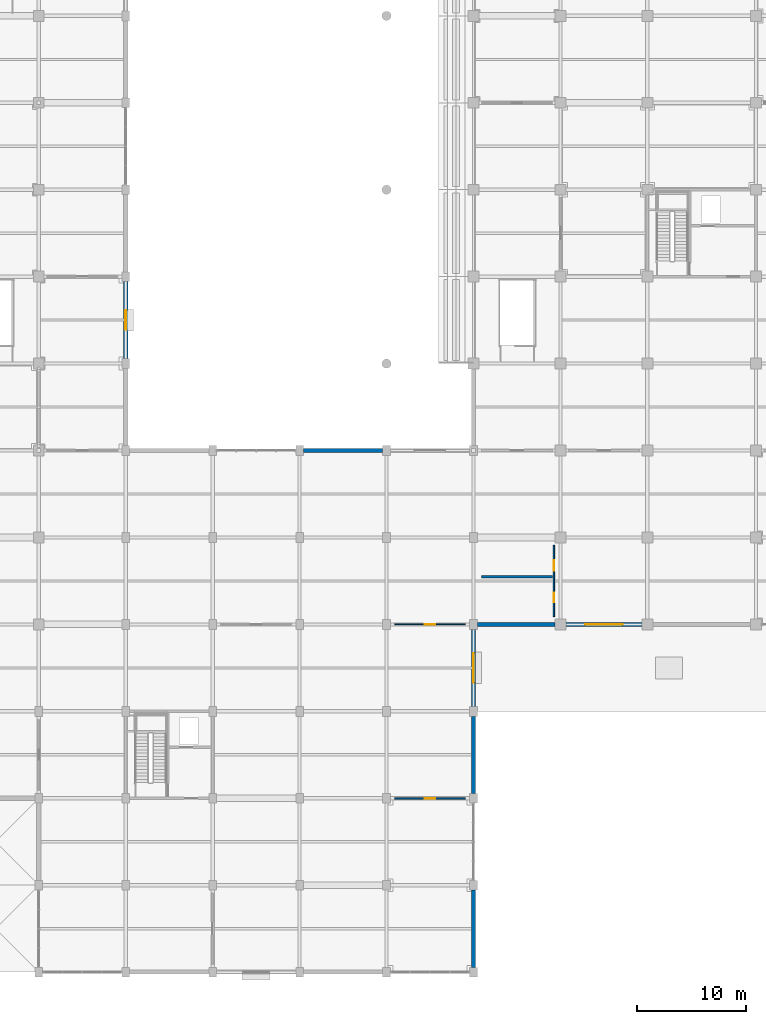
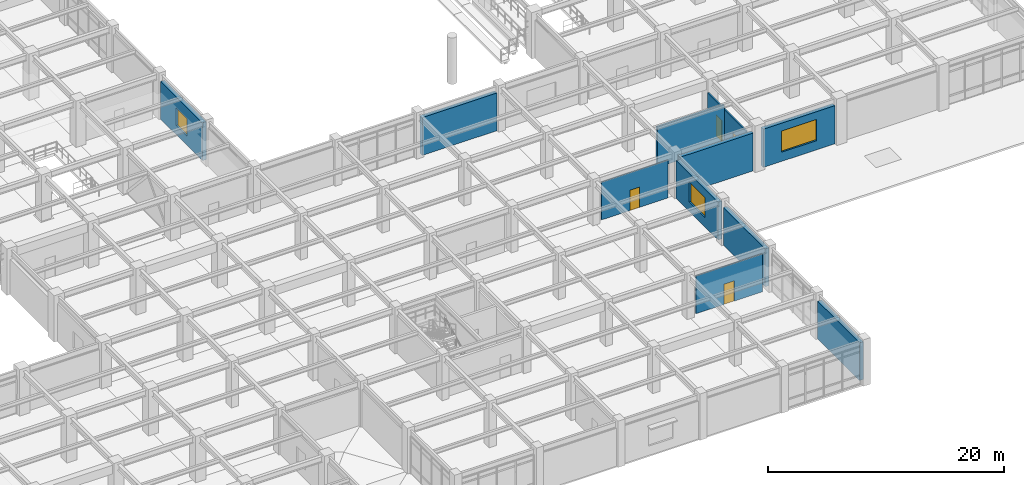
# One storey, part 77 of 117: 11 walls, 4 doors, 3 windows, 7 openings.
"""IFC4 building model written with IfcOpenShell, lengths in metres."""

from ifc_helpers import new_model, si_unit, direction, frame, frame_2d, origin, place, context, subcontext, project, spatial, rectangle, extrude, material, layer, layer_set, type_object, element, fill, save


model = new_model("IFC4")

# Units and contexts
model_context = context("Model", 3, precision=1e-05, world=origin(), true_north=direction((0.0, 1.0)))
body_context = subcontext(model_context, "Body", "Model", "MODEL_VIEW")
ifc_project = project(units=[si_unit("LENGTHUNIT", "METRE"), si_unit("AREAUNIT", "SQUARE_METRE"), si_unit("VOLUMEUNIT", "CUBIC_METRE"), si_unit("PLANEANGLEUNIT", "RADIAN"), si_unit("MASSUNIT", "GRAM", prefix="KILO")], contexts=[model_context])

# Site, building, storey
site_placement = place(None, origin())
site = spatial("IfcSite", under=ifc_project, at=site_placement, CompositionType="ELEMENT")
building_placement = place(site_placement, origin())
building = spatial("IfcBuilding", under=site, at=building_placement, Name="Haebicheon Civic Stadium", CompositionType="ELEMENT")
storey_placement = place(building_placement, frame((0.0, 0.0, 4.800048828125)))
storey = spatial("IfcBuildingStorey", under=building, at=storey_placement, Name="L02", CompositionType="ELEMENT", Elevation=4.800048828125)

# Wall, opening, window
ifc_material_1 = material(Name="Concrete C40/50", Category="concrete")
ifc_layer_1 = layer(ifc_material_1, 0.3798828125, Name="Concrete C40/50")
ifc_layer_set_1 = layer_set([ifc_layer_1], Name="Concrete C40/50")
wall_type_1 = type_object("IfcWallType", Name="EW-BM-380", PredefinedType="SOLIDWALL", material=ifc_layer_set_1)
wall_1_placement = place(storey_placement, frame((168.0, 56.449951171875, 0.0), z_axis=(0.0, 0.0, 1.0), x_axis=(0.0, 1.0, 0.0)))
wall_1 = element("IfcWall", 1, at=wall_1_placement, inside=storey, type_object=wall_type_1, material=ifc_layer_set_1, Name="L02 board-marked concrete facade wall 21-07-E", PredefinedType="SOLIDWALL", context=body_context, shape_type="SweptSolid", body=[
    extrude(rectangle(XDim=7.10009765625, YDim=0.3798828125, at=frame_2d((3.550048828125, 0.0))), origin(), (0.0, 0.0, 1.0), 3.909912109375),
])
opening_1_placement = place(wall_1_placement, frame((2.64990234375, 0.0, 0.949951171875)))
opening_1 = element("IfcOpeningElement", 2, at=opening_1_placement, cuts=wall_1, Name="Opening WIN-180x180", PredefinedType="OPENING", context=body_context, shape_type="SweptSolid", body=[
    extrude(rectangle(XDim=1.800048828125, YDim=1.800048828125, at=frame_2d((0.89990234375, 0.89990234375))), frame((0.0, 0.199951171875, 0.0), z_axis=(0.0, -1.0, 0.0), x_axis=(1.0, 0.0, 0.0)), (0.0, 0.0, 1.0), 0.39990234375),
])
ifc_material_2 = material(Name="Anodised aluminium and laminated glass", Category="aluminium")
window_type_1 = type_object("IfcWindowType", Name="WIN-180x180", PartitioningType="SINGLE_PANEL", PredefinedType="WINDOW", material=ifc_material_2)
window_1_placement = place(opening_1_placement, origin())
window_1 = element("IfcWindow", 3, at=window_1_placement, inside=storey, type_object=window_type_1, material=ifc_material_2, Name="L02 facade window 051", OverallHeight=1.800048828125, OverallWidth=1.800048828125, PartitioningType="SINGLE_PANEL", PredefinedType="WINDOW", context=body_context, shape_type="SweptSolid", body=[
    extrude(rectangle(XDim=1.800048828125, YDim=1.800048828125, at=frame_2d((0.89990234375, 0.89990234375))), frame((0.0, 0.030029296875, 0.0), z_axis=(0.0, -1.0, 0.0), x_axis=(1.0, 0.0, 0.0)), (0.0, 0.0, 1.0), 0.06005859375),
])
fill(opening_1, window_1)

# Walls
wall_2_placement = place(storey_placement, frame((184.35009765625, 48.0, 0.0), z_axis=(0.0, 0.0, 1.0), x_axis=(1.0, 0.0, 0.0)))
element("IfcWall", 4, at=wall_2_placement, inside=storey, type_object=wall_type_1, material=ifc_layer_set_1, Name="L02 board-marked concrete facade wall 23-06-N", PredefinedType="SOLIDWALL", context=body_context, shape_type="SweptSolid", body=[
    extrude(rectangle(XDim=7.2998046875, YDim=0.3798828125, at=frame_2d((3.64990234375, 0.0))), origin(), (0.0, 0.0, 1.0), 3.909912109375),
])
for number, where, z_axis, x_axis, name in (
    (5, (200.0, 0.449951171875, 0.0), (0.0, 0.0, 1.0), (0.0, 1.0, 0.0), "L02 board-marked concrete facade wall 25-00-E"),
    (6, (200.0, 16.449951171875, 0.0), (0.0, 0.0, 1.0), (0.0, 1.0, 0.0), "L02 board-marked concrete facade wall 25-02-E"),
):
    element("IfcWall", number, at=place(storey_placement, frame(where, z_axis=z_axis, x_axis=x_axis)), inside=storey, type_object=wall_type_1, material=ifc_layer_set_1, Name=name, PredefinedType="SOLIDWALL", context=body_context, shape_type="SweptSolid", body=[
        extrude(rectangle(XDim=7.10009765625, YDim=0.3798828125, at=frame_2d((3.550048828125, 0.0))), origin(), (0.0, 0.0, 1.0), 3.909912109375),
    ])

# Wall, opening, window
wall_3_placement = place(storey_placement, frame((200.0, 24.449951171875, 0.0), z_axis=(0.0, 0.0, 1.0), x_axis=(0.0, 1.0, 0.0)))
wall_3 = element("IfcWall", 7, at=wall_3_placement, inside=storey, type_object=wall_type_1, material=ifc_layer_set_1, Name="L02 board-marked concrete facade wall 25-03-E", PredefinedType="SOLIDWALL", context=body_context, shape_type="SweptSolid", body=[
    extrude(rectangle(XDim=7.10009765625, YDim=0.3798828125, at=frame_2d((3.550048828125, 0.0))), origin(), (0.0, 0.0, 1.0), 3.909912109375),
])
opening_2_placement = place(wall_3_placement, frame((2.199951171875, 0.0, 0.949951171875)))
opening_2 = element("IfcOpeningElement", 8, at=opening_2_placement, cuts=wall_3, Name="Opening WIN-270x210", PredefinedType="OPENING", context=body_context, shape_type="SweptSolid", body=[
    extrude(rectangle(XDim=2.699951171875, YDim=2.10009765625, at=frame_2d((1.35009765625, 1.050048828125))), frame((0.0, 0.199951171875, 0.0), z_axis=(0.0, -1.0, 0.0), x_axis=(1.0, 0.0, 0.0)), (0.0, 0.0, 1.0), 0.39990234375),
])
ifc_material_3 = material(Name="Anodised aluminium and laminated glass", Category="aluminium")
window_type_2 = type_object("IfcWindowType", Name="WIN-270x210", PartitioningType="SINGLE_PANEL", PredefinedType="WINDOW", material=ifc_material_3)
window_2_placement = place(opening_2_placement, origin())
window_2 = element("IfcWindow", 9, at=window_2_placement, inside=storey, type_object=window_type_2, material=ifc_material_3, Name="L02 facade window 057", OverallHeight=2.10009765625, OverallWidth=2.699951171875, PartitioningType="SINGLE_PANEL", PredefinedType="WINDOW", context=body_context, shape_type="SweptSolid", body=[
    extrude(rectangle(XDim=2.699951171875, YDim=2.10009765625, at=frame_2d((1.35009765625, 1.050048828125))), frame((0.0, 0.030029296875, 0.0), z_axis=(0.0, -1.0, 0.0), x_axis=(1.0, 0.0, 0.0)), (0.0, 0.0, 1.0), 0.06005859375),
])
fill(opening_2, window_2)

# Wall
wall_4_placement = place(storey_placement, frame((200.35009765625, 32.0, 0.0), z_axis=(0.0, 0.0, 1.0), x_axis=(1.0, 0.0, 0.0)))
element("IfcWall", 10, at=wall_4_placement, inside=storey, type_object=wall_type_1, material=ifc_layer_set_1, Name="L02 board-marked concrete facade wall 25-04-S", PredefinedType="SOLIDWALL", context=body_context, shape_type="SweptSolid", body=[
    extrude(rectangle(XDim=7.14990234375, YDim=0.3798828125, at=frame_2d((3.574951171875, 0.0))), origin(), (0.0, 0.0, 1.0), 3.909912109375),
])

# Wall, opening, window
wall_5_placement = place(storey_placement, frame((208.5, 32.0, 0.0), z_axis=(0.0, 0.0, 1.0), x_axis=(1.0, 0.0, 0.0)))
wall_5 = element("IfcWall", 11, at=wall_5_placement, inside=storey, type_object=wall_type_1, material=ifc_layer_set_1, Name="L02 board-marked concrete facade wall 26-04-S", PredefinedType="SOLIDWALL", context=body_context, shape_type="SweptSolid", body=[
    extrude(rectangle(XDim=7.0, YDim=0.3798828125, at=frame_2d((3.5, 0.0))), origin(), (0.0, 0.0, 1.0), 3.949951171875),
])
opening_3_placement = place(wall_5_placement, frame((1.77490234375, 0.0, 0.949951171875)))
opening_3 = element("IfcOpeningElement", 12, at=opening_3_placement, cuts=wall_5, Name="Opening WIN-345x220", PredefinedType="OPENING", context=body_context, shape_type="SweptSolid", body=[
    extrude(rectangle(XDim=3.449951171875, YDim=2.199951171875, at=frame_2d((1.72509765625, 1.10009765625))), frame((0.0, 0.199951171875, 0.0), z_axis=(0.0, -1.0, 0.0), x_axis=(1.0, 0.0, 0.0)), (0.0, 0.0, 1.0), 0.39990234375),
])
ifc_material_4 = material(Name="Anodised aluminium and laminated glass", Category="aluminium")
window_type_3 = type_object("IfcWindowType", Name="WIN-345x220", PartitioningType="SINGLE_PANEL", PredefinedType="WINDOW", material=ifc_material_4)
window_3_placement = place(opening_3_placement, origin())
window_3 = element("IfcWindow", 13, at=window_3_placement, inside=storey, type_object=window_type_3, material=ifc_material_4, Name="L02 facade window 062", OverallHeight=2.199951171875, OverallWidth=3.449951171875, PartitioningType="SINGLE_PANEL", PredefinedType="WINDOW", context=body_context, shape_type="SweptSolid", body=[
    extrude(rectangle(XDim=3.449951171875, YDim=2.199951171875, at=frame_2d((1.72509765625, 1.10009765625))), frame((0.0, 0.030029296875, 0.0), z_axis=(0.0, -1.0, 0.0), x_axis=(1.0, 0.0, 0.0)), (0.0, 0.0, 1.0), 0.06005859375),
])
fill(opening_3, window_3)

# Wall
ifc_material_5 = material(Name="Concrete C35/45", Category="concrete")
ifc_layer_2 = layer(ifc_material_5, 0.219970703125, Name="Concrete C35/45")
ifc_layer_set_2 = layer_set([ifc_layer_2], Name="Concrete C35/45")
wall_type_2 = type_object("IfcWallType", Name="IW-PLB-220", PredefinedType="PLUMBINGWALL", material=ifc_layer_set_2)
wall_6_placement = place(storey_placement, frame((200.719970703125, 36.39990234375, 0.0), z_axis=(0.0, 0.0, 1.0), x_axis=(1.0, 0.0, 0.0)))
element("IfcWall", 14, at=wall_6_placement, inside=storey, type_object=wall_type_2, material=ifc_layer_set_2, Name="L02 sanitary plumbing chase wall 09", PredefinedType="PLUMBINGWALL", context=body_context, shape_type="SweptSolid", body=[
    extrude(rectangle(XDim=6.56005859375, YDim=0.219970703125, at=frame_2d((3.280029296875, 0.0))), origin(), (0.0, 0.0, 1.0), 4.169921875),
])

# Wall, opening, door
ifc_material_6 = material(Name="Anodised aluminium and laminated glass", Category="aluminium")
ifc_layer_3 = layer(ifc_material_6, 0.10009765625, Name="Anodised aluminium and laminated glass")
ifc_layer_set_3 = layer_set([ifc_layer_3], Name="Anodised aluminium and laminated glass")
wall_type_3 = type_object("IfcWallType", Name="IW-PRT-100", PredefinedType="PARTITIONING", material=ifc_layer_set_3)
wall_7_placement = place(storey_placement, frame((192.75, 32.0, 0.0), z_axis=(0.0, 0.0, 1.0), x_axis=(1.0, 0.0, 0.0)))
wall_7 = element("IfcWall", 15, at=wall_7_placement, inside=storey, type_object=wall_type_3, material=ifc_layer_set_3, Name="L02 Supporters' Club Lounge partition wall", PredefinedType="PARTITIONING", context=body_context, shape_type="SweptSolid", body=[
    extrude(rectangle(XDim=6.5, YDim=0.10009765625, at=frame_2d((3.25, 0.0))), origin(), (0.0, 0.0, 1.0), 3.909912109375),
])
opening_4_placement = place(wall_7_placement, frame((2.77490234375, 0.0, 0.0)))
opening_4 = element("IfcOpeningElement", 16, at=opening_4_placement, cuts=wall_7, Name="Opening D-L02-245", PredefinedType="OPENING", context=body_context, shape_type="SweptSolid", body=[
    extrude(rectangle(XDim=0.949951171875, YDim=2.10009765625, at=frame_2d((0.47509765625, 1.050048828125))), frame((0.0, 0.06005859375, 0.0), z_axis=(0.0, -1.0, 0.0), x_axis=(1.0, 0.0, 0.0)), (0.0, 0.0, 1.0), 0.1201171875),
])
ifc_material_7 = material(Name="Engineered hardwood timber", Category="wood")
door_type_1 = type_object("IfcDoorType", Name="ID-RM-0950", OperationType="NOTDEFINED", PredefinedType="DOOR", material=ifc_material_7)
door_1_placement = place(opening_4_placement, origin())
door_1 = element("IfcDoor", 17, at=door_1_placement, inside=storey, type_object=door_type_1, material=ifc_material_7, Name="L02 Supporters' Club Lounge entrance door D-L02-245", OperationType="SINGLE_SWING_RIGHT", OverallHeight=2.10009765625, OverallWidth=0.949951171875, PredefinedType="DOOR", context=body_context, shape_type="SweptSolid", body=[
    extrude(rectangle(XDim=0.949951171875, YDim=2.10009765625, at=frame_2d((0.47509765625, 1.050048828125))), frame((0.0, 0.02490234375, 0.0), z_axis=(0.0, -1.0, 0.0), x_axis=(1.0, 0.0, 0.0)), (0.0, 0.0, 1.0), 0.050048828125),
])
fill(opening_4, door_1)

ifc_material_8 = material(Name="Gypsum plasterboard on steel studs", Category="gypsum")
ifc_layer_4 = layer(ifc_material_8, 0.1298828125, Name="Gypsum plasterboard on steel studs")
ifc_layer_set_4 = layer_set([ifc_layer_4], Name="Gypsum plasterboard on steel studs")
wall_type_4 = type_object("IfcWallType", Name="IW-PRT-130", PredefinedType="PARTITIONING", material=ifc_layer_set_4)
wall_8_placement = place(storey_placement, frame((192.75, 16.0, 0.0), z_axis=(0.0, 0.0, 1.0), x_axis=(1.0, 0.0, 0.0)))
wall_8 = element("IfcWall", 18, at=wall_8_placement, inside=storey, type_object=wall_type_4, material=ifc_layer_set_4, Name="L02 Sports Heritage Reading Room partition wall", PredefinedType="PARTITIONING", context=body_context, shape_type="SweptSolid", body=[
    extrude(rectangle(XDim=6.5, YDim=0.1298828125, at=frame_2d((3.25, 0.0))), origin(), (0.0, 0.0, 1.0), 3.909912109375),
])
opening_5_placement = place(wall_8_placement, frame((2.75, 0.0, 0.0)))
opening_5 = element("IfcOpeningElement", 19, at=opening_5_placement, cuts=wall_8, Name="Opening D-L02-244", PredefinedType="OPENING", context=body_context, shape_type="SweptSolid", body=[
    extrude(rectangle(XDim=1.0, YDim=2.10009765625, at=frame_2d((0.5, 1.050048828125))), frame((0.0, 0.074951171875, 0.0), z_axis=(0.0, -1.0, 0.0), x_axis=(1.0, 0.0, 0.0)), (0.0, 0.0, 1.0), 0.14990234375),
])
ifc_material_9 = material(Name="Engineered hardwood timber", Category="wood")
door_type_2 = type_object("IfcDoorType", Name="ID-RM-1000", OperationType="NOTDEFINED", PredefinedType="DOOR", material=ifc_material_9)
door_2_placement = place(opening_5_placement, origin())
door_2 = element("IfcDoor", 20, at=door_2_placement, inside=storey, type_object=door_type_2, material=ifc_material_9, Name="L02 Sports Heritage Reading Room entrance door D-L02-244", OperationType="SINGLE_SWING_LEFT", OverallHeight=2.10009765625, OverallWidth=1.0, PredefinedType="DOOR", context=body_context, shape_type="SweptSolid", body=[
    extrude(rectangle(XDim=1.0, YDim=2.10009765625, at=frame_2d((0.5, 1.050048828125))), frame((0.0, 0.02490234375, 0.0), z_axis=(0.0, -1.0, 0.0), x_axis=(1.0, 0.0, 0.0)), (0.0, 0.0, 1.0), 0.050048828125),
])
fill(opening_5, door_2)

# Wall, openings, doors
ifc_material_10 = material(Name="Gypsum plasterboard on steel studs", Category="gypsum")
ifc_layer_5 = layer(ifc_material_10, 0.14990234375, Name="Gypsum plasterboard on steel studs")
ifc_layer_set_5 = layer_set([ifc_layer_5], Name="Gypsum plasterboard on steel studs")
wall_type_5 = type_object("IfcWallType", Name="IW-PRT-150", PredefinedType="PARTITIONING", material=ifc_layer_set_5)
wall_9_placement = place(storey_placement, frame((207.39990234375, 32.719970703125, 0.0), z_axis=(0.0, 0.0, 1.0), x_axis=(0.0, 1.0, 0.0)))
wall_9 = element("IfcWall", 21, at=wall_9_placement, inside=storey, type_object=wall_type_5, material=ifc_layer_set_5, Name="L02 sanitary enclosure front wall 09", PredefinedType="PARTITIONING", context=body_context, shape_type="SweptSolid", body=[
    extrude(rectangle(XDim=6.56005859375, YDim=0.14990234375, at=frame_2d((3.280029296875, 0.0))), origin(), (0.0, 0.0, 1.0), 3.60986328125),
])
opening_6_placement = place(wall_9_placement, frame((1.300048828125, 0.0, 0.0)))
opening_6 = element("IfcOpeningElement", 22, at=opening_6_placement, cuts=wall_9, Name="Opening D-L02-WC-09A", PredefinedType="OPENING", context=body_context, shape_type="SweptSolid", body=[
    extrude(rectangle(XDim=0.89990234375, YDim=2.10009765625, at=frame_2d((0.449951171875, 1.050048828125))), frame((0.0, 0.0849609375, 0.0), z_axis=(0.0, -1.0, 0.0), x_axis=(1.0, 0.0, 0.0)), (0.0, 0.0, 1.0), 0.169921875),
])
opening_7_placement = place(wall_9_placement, frame((4.199951171875, 0.0, 0.0)))
opening_7 = element("IfcOpeningElement", 23, at=opening_7_placement, cuts=wall_9, Name="Opening D-L02-AWC-09B", PredefinedType="OPENING", context=body_context, shape_type="SweptSolid", body=[
    extrude(rectangle(XDim=1.0, YDim=2.14990234375, at=frame_2d((0.5, 1.074951171875))), frame((0.0, 0.0849609375, 0.0), z_axis=(0.0, -1.0, 0.0), x_axis=(1.0, 0.0, 0.0)), (0.0, 0.0, 1.0), 0.169921875),
])
ifc_material_11 = material(Name="Anodised aluminium 6063-T6", Category="aluminium")
door_type_3 = type_object("IfcDoorType", Name="ID-AWC-1000", OperationType="NOTDEFINED", PredefinedType="DOOR", material=ifc_material_11)
door_3_placement = place(opening_7_placement, origin())
door_3 = element("IfcDoor", 24, at=door_3_placement, inside=storey, type_object=door_type_3, material=ifc_material_11, Name="L02 accessible WC door 09", OperationType="SINGLE_SWING_LEFT", OverallHeight=2.14990234375, OverallWidth=1.0, PredefinedType="DOOR", context=body_context, shape_type="SweptSolid", body=[
    extrude(rectangle(XDim=1.0, YDim=2.14990234375, at=frame_2d((0.5, 1.074951171875))), frame((0.0, 0.02490234375, 0.0), z_axis=(0.0, -1.0, 0.0), x_axis=(1.0, 0.0, 0.0)), (0.0, 0.0, 1.0), 0.050048828125),
])
fill(opening_7, door_3)
ifc_material_12 = material(Name="Anodised aluminium 6063-T6", Category="aluminium")
door_type_4 = type_object("IfcDoorType", Name="ID-WC-0900", OperationType="NOTDEFINED", PredefinedType="DOOR", material=ifc_material_12)
door_4_placement = place(opening_6_placement, origin())
door_4 = element("IfcDoor", 25, at=door_4_placement, inside=storey, type_object=door_type_4, material=ifc_material_12, Name="L02 public restroom door 09", OperationType="SINGLE_SWING_RIGHT", OverallHeight=2.10009765625, OverallWidth=0.89990234375, PredefinedType="DOOR", context=body_context, shape_type="SweptSolid", body=[
    extrude(rectangle(XDim=0.89990234375, YDim=2.10009765625, at=frame_2d((0.449951171875, 1.050048828125))), frame((0.0, 0.02490234375, 0.0), z_axis=(0.0, -1.0, 0.0), x_axis=(1.0, 0.0, 0.0)), (0.0, 0.0, 1.0), 0.050048828125),
])
fill(opening_6, door_4)

save(model, "model.ifc")
